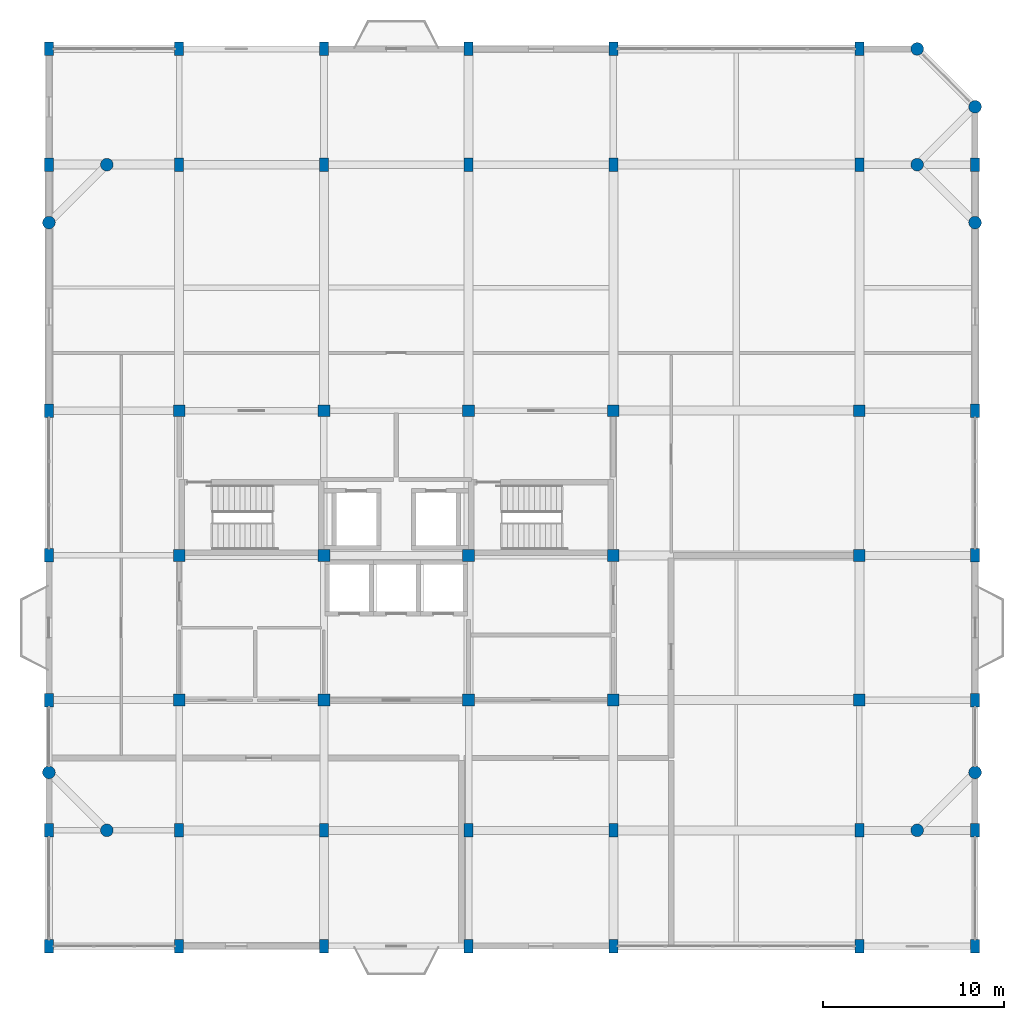
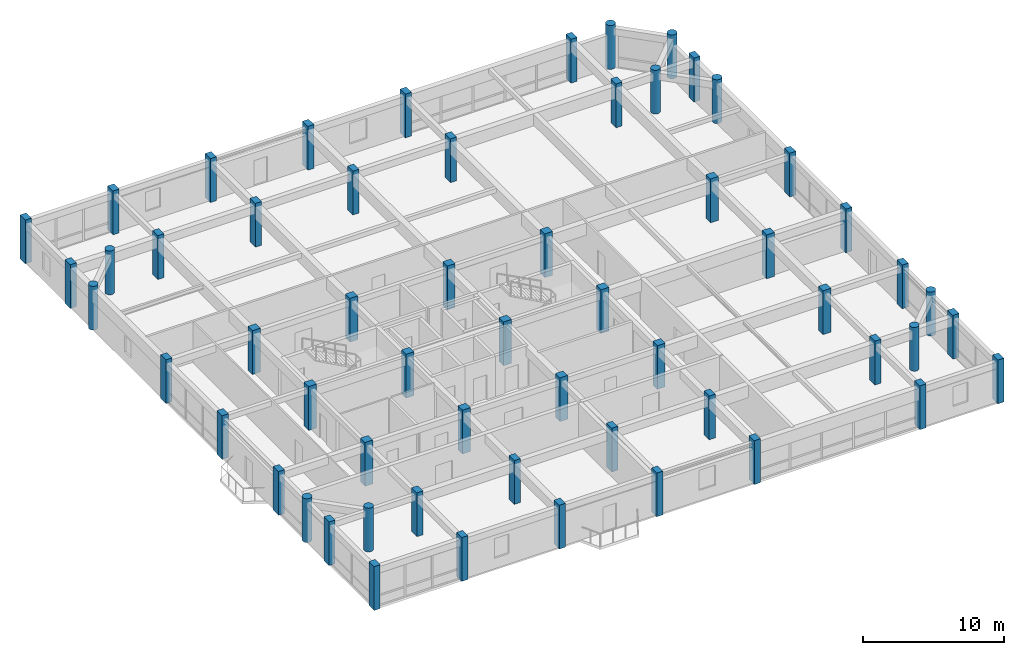
# One storey, part 1 of 13: 58 columns.
"""IFC4 building model written with IfcOpenShell, lengths in metres."""

import ifcopenshell
import ifcopenshell.guid

model = None  # the IFC model being written
_history = None  # IfcOwnerHistory: only IFC2X3 demands one
_inside = {}  # id of a spatial element -> (the spatial element, [elements in it])
_under = {}  # id of a project, library or spatial element -> (it, [spatial elements below it])
_declared = {}  # id of a project -> (the project, [libraries it declares])
_typed = {}  # id of a type object -> (the type object, [elements of that type])
_made_of = {}  # id of a material, layer set ... -> (it, [elements and type objects made of it])


def new_model(schema):
    """Start an empty IFC model of exactly this schema.

    Asked for "IFC4X3", IfcOpenShell would pick the latest addendum, in which some entities
    have other attributes; the version numbers below select the first issue.
    IFC2X3 requires an IfcOwnerHistory on every rooted entity: one is made here for all.
    """
    global model, _history
    if schema == "IFC4X3":
        model = ifcopenshell.file(schema_version=(4, 3, 0, 0))
    else:
        model = ifcopenshell.file(schema=schema)
    _inside.clear()
    _under.clear()
    _declared.clear()
    _typed.clear()
    _made_of.clear()
    _history = None
    if model.schema == "IFC2X3":
        org = make("IfcOrganization", Name="unknown")
        user = make(
            "IfcPersonAndOrganization",
            ThePerson=make("IfcPerson", FamilyName="unknown"),
            TheOrganization=org,
        )
        app = make(
            "IfcApplication",
            ApplicationDeveloper=org,
            Version="unknown",
            ApplicationFullName="unknown",
            ApplicationIdentifier="unknown",
        )
        _history = make(
            "IfcOwnerHistory",
            OwningUser=user,
            OwningApplication=app,
            ChangeAction="ADDED",
            CreationDate=0,
        )
    return model


def make(cls, **values):
    """One entity of the class cls with the attributes given. An attribute that is None is left unset."""
    return model.create_entity(
        cls, **{name: value for name, value in values.items() if value is not None}
    )


def rooted(cls, **values):
    """An entity with a GlobalId (a new one), such as an element, a storey or a relation."""
    return make(cls, GlobalId=ifcopenshell.guid.new(), OwnerHistory=_history, **values)


def si_unit(unit_type, name, prefix=None):
    """IfcSIUnit, for example si_unit("LENGTHUNIT", "METRE", prefix="MILLI")."""
    return make("IfcSIUnit", UnitType=unit_type, Prefix=prefix, Name=name)


def assignment(units):
    """IfcUnitAssignment: the units of a project."""
    return None if units is None else make("IfcUnitAssignment", Units=units)


def point(xyz):
    """IfcCartesianPoint."""
    return None if xyz is None else make("IfcCartesianPoint", Coordinates=xyz)


def direction(xyz):
    """IfcDirection."""
    return None if xyz is None else make("IfcDirection", DirectionRatios=xyz)


def frame(location, z_axis=None, x_axis=None):
    """IfcAxis2Placement3D, a coordinate frame: its origin and axes. An axis left out is left unset."""
    return make(
        "IfcAxis2Placement3D",
        Location=point(location),
        Axis=direction(z_axis),
        RefDirection=direction(x_axis),
    )


def frame_2d(location, x_axis=None):
    """IfcAxis2Placement2D, a coordinate frame in the plane: its origin and x axis."""
    return make(
        "IfcAxis2Placement2D", Location=point(location), RefDirection=direction(x_axis)
    )


def origin():
    """The frame at (0, 0, 0) with its axes left unset."""
    return frame((0.0, 0.0, 0.0))


def origin_2d():
    """The frame at (0, 0) in the plane with its x axis left unset."""
    return frame_2d((0.0, 0.0))


def place(relative_to, where):
    """IfcLocalPlacement: puts the frame where relative to a parent placement (None: the world)."""
    return make(
        "IfcLocalPlacement", PlacementRelTo=relative_to, RelativePlacement=where
    )


def context(
    kind, dimensions, precision=None, world=None, true_north=None, identifier=None
):
    """IfcGeometricRepresentationContext, for example the 3D "Model" context."""
    return make(
        "IfcGeometricRepresentationContext",
        ContextIdentifier=identifier,
        ContextType=kind,
        CoordinateSpaceDimension=dimensions,
        Precision=precision,
        WorldCoordinateSystem=world,
        TrueNorth=true_north,
    )


def subcontext(parent, identifier, kind, view, scale=None):
    """IfcGeometricRepresentationSubContext, for example "Body" below "Model"."""
    return make(
        "IfcGeometricRepresentationSubContext",
        ContextIdentifier=identifier,
        ContextType=kind,
        ParentContext=parent,
        TargetScale=scale,
        TargetView=view,
    )


def project(units=None, contexts=None):
    """IfcProject with its units and contexts."""
    return rooted(
        "IfcProject",
        Name="project",
        RepresentationContexts=contexts,
        UnitsInContext=assignment(units),
    )


def spatial(cls, under=None, at=None, **own):
    """A site, building, storey or space (cls), placed at a placement, below another one or the project."""
    s = rooted(cls, ObjectPlacement=at, **own)
    if under is not None:
        _under.setdefault(under.id(), (under, []))[1].append(s)
    return s


def profile(cls, at=None, kind="AREA", **sizes):
    """A parametric profile (cls). Its sizes go by their IFC names, for example OverallWidth=200.0."""
    return make(cls, ProfileType=kind, Position=at, **sizes)


def rectangle(**sizes):
    """IfcRectangleProfileDef."""
    return profile("IfcRectangleProfileDef", **sizes)


def circle(**sizes):
    """IfcCircleProfileDef."""
    return profile("IfcCircleProfileDef", **sizes)


def extrude(swept, where, along, depth):
    """IfcExtrudedAreaSolid: the profile swept, set in the frame where, extruded along a direction by depth."""
    return make(
        "IfcExtrudedAreaSolid",
        SweptArea=swept,
        Position=where,
        ExtrudedDirection=direction(along),
        Depth=depth,
    )


def shape(context_of_items, identifier, shape_type, items):
    """IfcShapeRepresentation: the items that make up one representation, for example the "Body"."""
    return make(
        "IfcShapeRepresentation",
        ContextOfItems=context_of_items,
        RepresentationIdentifier=identifier,
        RepresentationType=shape_type,
        Items=items,
    )


def material(Name=None, Category=None):
    """IfcMaterial."""
    return make("IfcMaterial", Name=Name, Category=Category)


def material_profile(
    of_material, cross_section, Name=None, Category=None, Priority=None
):
    """IfcMaterialProfile: a cross section and its material."""
    return make(
        "IfcMaterialProfile",
        Name=Name,
        Material=of_material,
        Profile=cross_section,
        Priority=Priority,
        Category=Category,
    )


def profile_set(profiles, Name=None, composite=None):
    """IfcMaterialProfileSet."""
    return make(
        "IfcMaterialProfileSet",
        Name=Name,
        MaterialProfiles=profiles,
        CompositeProfile=composite,
    )


def made_of(thing, what):
    """Note that an element or type object is made of a material, layer set ...; save() writes the relation."""
    if what is not None:
        _made_of.setdefault(what.id(), (what, []))[1].append(thing)
    return thing


def type_object(cls, material=None, **own):
    """A type object (cls), such as IfcWallType, which elements share."""
    return made_of(rooted(cls, **own), material)


def element(
    cls,
    number,
    at=None,
    inside=None,
    cuts=None,
    type_object=None,
    material=None,
    context=None,
    identifier="Body",
    shape_type=None,
    held_by="IfcProductDefinitionShape",
    body=None,
    shapes=None,
    **own,
):
    """One element of the class cls, such as IfcWall. Its Tag is "e" and its number.

    at: its placement. inside: the storey or other place that contains it. cuts: it is an
    opening in that element (IfcRelVoidsElement). A single representation is given by context,
    identifier, shape_type and body (its items); several are given by shapes. held_by: the class
    of the entity that holds the representations. save() writes the other relations.
    """
    e = rooted(cls, Tag="e%d" % number, ObjectPlacement=at, **own)
    if body is not None:
        shapes = [shape(context, identifier, shape_type, body)]
    if shapes is not None:
        e.Representation = make(held_by, Representations=shapes)
    if inside is not None:
        _inside.setdefault(inside.id(), (inside, []))[1].append(e)
    if cuts is not None:
        rooted(
            "IfcRelVoidsElement", RelatingBuildingElement=cuts, RelatedOpeningElement=e
        )
    if type_object is not None:
        _typed.setdefault(type_object.id(), (type_object, []))[1].append(e)
    return made_of(e, material)


def aggregate(whole, parts):
    """IfcRelAggregates: a whole, such as a stair, and the parts it consists of."""
    return rooted("IfcRelAggregates", RelatingObject=whole, RelatedObjects=parts)


def save(model, path):
    """Write the relations noted so far, then the file.

    IfcRelAggregates (storeys below a building ...), IfcRelContainedInSpatialStructure (elements
    in a storey), IfcRelDefinesByType, IfcRelAssociatesMaterial and IfcRelDeclares: one each for
    every whole, place, type object, material and project.
    """
    for whole, parts in _under.values():
        aggregate(whole, parts)
    for where, things in _inside.values():
        rooted(
            "IfcRelContainedInSpatialStructure",
            RelatedElements=things,
            RelatingStructure=where,
        )
    for kind, things in _typed.values():
        rooted("IfcRelDefinesByType", RelatedObjects=things, RelatingType=kind)
    for what, things in _made_of.values():
        rooted("IfcRelAssociatesMaterial", RelatedObjects=things, RelatingMaterial=what)
    for by, libraries in _declared.values():
        rooted("IfcRelDeclares", RelatingContext=by, RelatedDefinitions=libraries)
    model.write(path)


model = new_model("IFC4")

# Units and contexts
model_context = context("Model", 3, precision=1e-05, world=origin(), true_north=direction((0.0, 1.0)))
body_context = subcontext(model_context, "Body", "Model", "MODEL_VIEW")
ifc_project = project(units=[si_unit("LENGTHUNIT", "METRE"), si_unit("AREAUNIT", "SQUARE_METRE"), si_unit("VOLUMEUNIT", "CUBIC_METRE"), si_unit("PLANEANGLEUNIT", "RADIAN"), si_unit("MASSUNIT", "GRAM", prefix="KILO")], contexts=[model_context])

# Site, building, storey
site_placement = place(None, origin())
site = spatial("IfcSite", under=ifc_project, at=site_placement, CompositionType="ELEMENT")
building_placement = place(site_placement, origin())
building = spatial("IfcBuilding", under=site, at=building_placement, Name="Vellmiral Cinema and Media Centre", CompositionType="ELEMENT")
storey_placement = place(building_placement, frame((0.0, 0.0, 43.300048828125)))
storey = spatial("IfcBuildingStorey", under=building, at=storey_placement, Name="L10", CompositionType="ELEMENT", Elevation=43.300048828125)

# Columns
ifc_material_1 = material(Name="Concrete C40/50", Category="concrete")
ifc_material_profile_1 = material_profile(ifc_material_1, rectangle(XDim=0.5, YDim=0.75, at=origin_2d()), Name="RC 500x750")
ifc_profile_set_1 = profile_set([ifc_material_profile_1], Name="Concrete C40/50")
column_type_1 = type_object("IfcColumnType", Name="COL-RC-500x750", PredefinedType="COLUMN", material=ifc_profile_set_1)
for number, where, z_axis, x_axis, name in (
    (1, (116.800048828125, 65.60009765625, 0.0), (0.0, 0.0, 1.0), (1.0, 0.0, 0.0), "Column L10-001"),
    (2, (116.800048828125, 72.0, 0.0), (0.0, 0.0, 1.0), (1.0, 0.0, 0.0), "Column L10-002"),
    (3, (116.800048828125, 79.199951171875, 0.0), (0.0, 0.0, 1.0), (1.0, 0.0, 0.0), "Column L10-004"),
    (4, (116.800048828125, 87.199951171875, 0.0), (0.0, 0.0, 1.0), (1.0, 0.0, 0.0), "Column L10-005"),
    (5, (116.800048828125, 95.199951171875, 0.0), (0.0, 0.0, 1.0), (1.0, 0.0, 0.0), "Column L10-006"),
    (6, (116.800048828125, 108.800048828125, 0.0), (0.0, 0.0, 1.0), (1.0, 0.0, 0.0), "Column L10-008"),
    (7, (116.800048828125, 115.199951171875, 0.0), (0.0, 0.0, 1.0), (1.0, 0.0, 0.0), "Column L10-009"),
    (8, (124.0, 65.60009765625, 0.0), (0.0, 0.0, 1.0), (1.0, 0.0, 0.0), "Column L10-012"),
    (9, (124.0, 72.0, 0.0), (0.0, 0.0, 1.0), (1.0, 0.0, 0.0), "Column L10-013"),
    (10, (124.0, 108.800048828125, 0.0), (0.0, 0.0, 1.0), (1.0, 0.0, 0.0), "Column L10-017"),
    (11, (124.0, 115.199951171875, 0.0), (0.0, 0.0, 1.0), (1.0, 0.0, 0.0), "Column L10-018"),
    (12, (132.0, 65.60009765625, 0.0), (0.0, 0.0, 1.0), (1.0, 0.0, 0.0), "Column L10-019"),
    (13, (132.0, 72.0, 0.0), (0.0, 0.0, 1.0), (1.0, 0.0, 0.0), "Column L10-020"),
    (14, (132.0, 108.800048828125, 0.0), (0.0, 0.0, 1.0), (1.0, 0.0, 0.0), "Column L10-024"),
    (15, (132.0, 115.199951171875, 0.0), (0.0, 0.0, 1.0), (1.0, 0.0, 0.0), "Column L10-025"),
    (16, (140.0, 65.60009765625, 0.0), (0.0, 0.0, 1.0), (1.0, 0.0, 0.0), "Column L10-026"),
    (17, (140.0, 72.0, 0.0), (0.0, 0.0, 1.0), (1.0, 0.0, 0.0), "Column L10-027"),
    (18, (140.0, 108.800048828125, 0.0), (0.0, 0.0, 1.0), (1.0, 0.0, 0.0), "Column L10-031"),
    (19, (140.0, 115.199951171875, 0.0), (0.0, 0.0, 1.0), (1.0, 0.0, 0.0), "Column L10-032"),
    (20, (148.0, 65.60009765625, 0.0), (0.0, 0.0, 1.0), (1.0, 0.0, 0.0), "Column L10-033"),
    (21, (148.0, 72.0, 0.0), (0.0, 0.0, 1.0), (1.0, 0.0, 0.0), "Column L10-034"),
    (22, (148.0, 108.800048828125, 0.0), (0.0, 0.0, 1.0), (1.0, 0.0, 0.0), "Column L10-038"),
    (23, (148.0, 115.199951171875, 0.0), (0.0, 0.0, 1.0), (1.0, 0.0, 0.0), "Column L10-039"),
    (24, (161.60009765625, 65.60009765625, 0.0), (0.0, 0.0, 1.0), (1.0, 0.0, 0.0), "Column L10-040"),
    (25, (161.60009765625, 72.0, 0.0), (0.0, 0.0, 1.0), (1.0, 0.0, 0.0), "Column L10-041"),
    (26, (161.60009765625, 108.800048828125, 0.0), (0.0, 0.0, 1.0), (1.0, 0.0, 0.0), "Column L10-045"),
    (27, (161.60009765625, 115.199951171875, 0.0), (0.0, 0.0, 1.0), (1.0, 0.0, 0.0), "Column L10-046"),
    (28, (168.0, 65.60009765625, 0.0), (0.0, 0.0, 1.0), (1.0, 0.0, 0.0), "Column L10-050"),
    (29, (168.0, 72.0, 0.0), (0.0, 0.0, 1.0), (1.0, 0.0, 0.0), "Column L10-051"),
    (30, (168.0, 79.199951171875, 0.0), (0.0, 0.0, 1.0), (1.0, 0.0, 0.0), "Column L10-053"),
    (31, (168.0, 87.199951171875, 0.0), (0.0, 0.0, 1.0), (1.0, 0.0, 0.0), "Column L10-054"),
    (32, (168.0, 95.199951171875, 0.0), (0.0, 0.0, 1.0), (1.0, 0.0, 0.0), "Column L10-055"),
    (33, (168.0, 108.800048828125, 0.0), (0.0, 0.0, 1.0), (1.0, 0.0, 0.0), "Column L10-057"),
):
    element("IfcColumn", number, at=place(storey_placement, frame(where, z_axis=z_axis, x_axis=x_axis)), inside=storey, type_object=column_type_1, Name=name, PredefinedType="COLUMN", context=body_context, shape_type="SweptSolid", body=[
        extrude(rectangle(XDim=0.5, YDim=0.75, at=origin_2d()), origin(), (0.0, 0.0, 1.0), 3.800048828125),
    ])
ifc_material_2 = material(Name="Concrete C40/50", Category="concrete")
ifc_material_profile_2 = material_profile(ifc_material_2, rectangle(XDim=0.64990234375, YDim=0.64990234375, at=origin_2d()), Name="RC 650x650")
ifc_profile_set_2 = profile_set([ifc_material_profile_2], Name="Concrete C40/50")
column_type_2 = type_object("IfcColumnType", Name="COL-RC-650x650", PredefinedType="COLUMN", material=ifc_profile_set_2)
for number, where, z_axis, x_axis, name in (
    (34, (124.0, 79.199951171875, 0.0), (0.0, 0.0, 1.0), (1.0, 0.0, 0.0), "Column L10-014"),
    (35, (124.0, 87.199951171875, 0.0), (0.0, 0.0, 1.0), (1.0, 0.0, 0.0), "Column L10-015"),
    (36, (124.0, 95.199951171875, 0.0), (0.0, 0.0, 1.0), (1.0, 0.0, 0.0), "Column L10-016"),
    (37, (132.0, 79.199951171875, 0.0), (0.0, 0.0, 1.0), (1.0, 0.0, 0.0), "Column L10-021"),
    (38, (132.0, 87.199951171875, 0.0), (0.0, 0.0, 1.0), (1.0, 0.0, 0.0), "Column L10-022"),
    (39, (132.0, 95.199951171875, 0.0), (0.0, 0.0, 1.0), (1.0, 0.0, 0.0), "Column L10-023"),
    (40, (140.0, 79.199951171875, 0.0), (0.0, 0.0, 1.0), (1.0, 0.0, 0.0), "Column L10-028"),
    (41, (140.0, 87.199951171875, 0.0), (0.0, 0.0, 1.0), (1.0, 0.0, 0.0), "Column L10-029"),
    (42, (140.0, 95.199951171875, 0.0), (0.0, 0.0, 1.0), (1.0, 0.0, 0.0), "Column L10-030"),
    (43, (148.0, 79.199951171875, 0.0), (0.0, 0.0, 1.0), (1.0, 0.0, 0.0), "Column L10-035"),
    (44, (148.0, 87.199951171875, 0.0), (0.0, 0.0, 1.0), (1.0, 0.0, 0.0), "Column L10-036"),
    (45, (148.0, 95.199951171875, 0.0), (0.0, 0.0, 1.0), (1.0, 0.0, 0.0), "Column L10-037"),
    (46, (161.60009765625, 79.199951171875, 0.0), (0.0, 0.0, 1.0), (1.0, 0.0, 0.0), "Column L10-042"),
    (47, (161.60009765625, 87.199951171875, 0.0), (0.0, 0.0, 1.0), (1.0, 0.0, 0.0), "Column L10-043"),
    (48, (161.60009765625, 95.199951171875, 0.0), (0.0, 0.0, 1.0), (1.0, 0.0, 0.0), "Column L10-044"),
):
    element("IfcColumn", number, at=place(storey_placement, frame(where, z_axis=z_axis, x_axis=x_axis)), inside=storey, type_object=column_type_2, Name=name, PredefinedType="COLUMN", context=body_context, shape_type="SweptSolid", body=[
        extrude(rectangle(XDim=0.64990234375, YDim=0.64990234375, at=origin_2d()), origin(), (0.0, 0.0, 1.0), 3.800048828125),
    ])
ifc_material_3 = material(Name="Concrete C40/50", Category="concrete")
ifc_material_profile_3 = material_profile(ifc_material_3, circle(Radius=0.35009765625, at=origin_2d()), Name="RC D700")
ifc_profile_set_3 = profile_set([ifc_material_profile_3], Name="Concrete C40/50")
column_type_3 = type_object("IfcColumnType", Name="COL-RCC-D700", PredefinedType="COLUMN", material=ifc_profile_set_3)
for number, where, z_axis, x_axis, name in (
    (49, (116.800048828125, 75.199951171875, 0.0), (0.0, 0.0, 1.0), (1.0, 0.0, 0.0), "Column L10-003"),
    (50, (116.800048828125, 105.60009765625, 0.0), (0.0, 0.0, 1.0), (1.0, 0.0, 0.0), "Column L10-007"),
    (51, (120.0, 72.0, 0.0), (0.0, 0.0, 1.0), (1.0, 0.0, 0.0), "Column L10-010"),
    (52, (120.0, 108.800048828125, 0.0), (0.0, 0.0, 1.0), (1.0, 0.0, 0.0), "Column L10-011"),
    (53, (164.800048828125, 72.0, 0.0), (0.0, 0.0, 1.0), (1.0, 0.0, 0.0), "Column L10-047"),
    (54, (164.800048828125, 108.800048828125, 0.0), (0.0, 0.0, 1.0), (1.0, 0.0, 0.0), "Column L10-048"),
    (55, (164.800048828125, 115.199951171875, 0.0), (0.0, 0.0, 1.0), (1.0, 0.0, 0.0), "Column L10-049"),
    (56, (168.0, 75.199951171875, 0.0), (0.0, 0.0, 1.0), (1.0, 0.0, 0.0), "Column L10-052"),
    (57, (168.0, 105.60009765625, 0.0), (0.0, 0.0, 1.0), (1.0, 0.0, 0.0), "Column L10-056"),
    (58, (168.0, 112.0, 0.0), (0.0, 0.0, 1.0), (1.0, 0.0, 0.0), "Column L10-058"),
):
    element("IfcColumn", number, at=place(storey_placement, frame(where, z_axis=z_axis, x_axis=x_axis)), inside=storey, type_object=column_type_3, Name=name, PredefinedType="COLUMN", context=body_context, shape_type="SweptSolid", body=[
        extrude(circle(Radius=0.35009765625, at=origin_2d()), origin(), (0.0, 0.0, 1.0), 3.800048828125),
    ])

save(model, "model.ifc")
